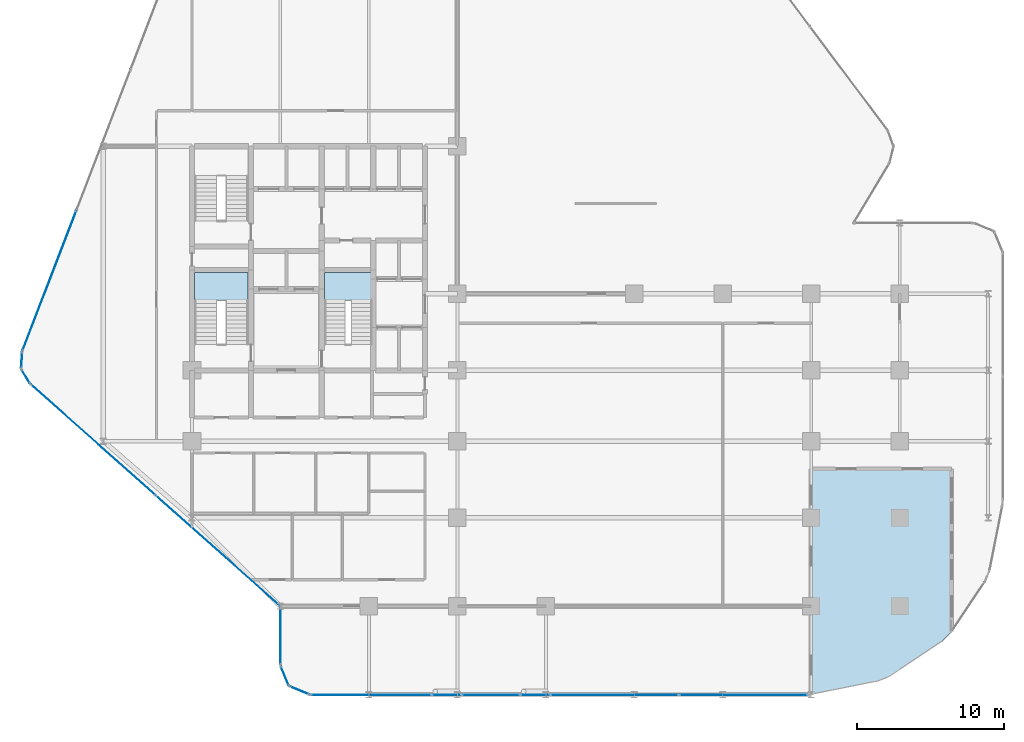
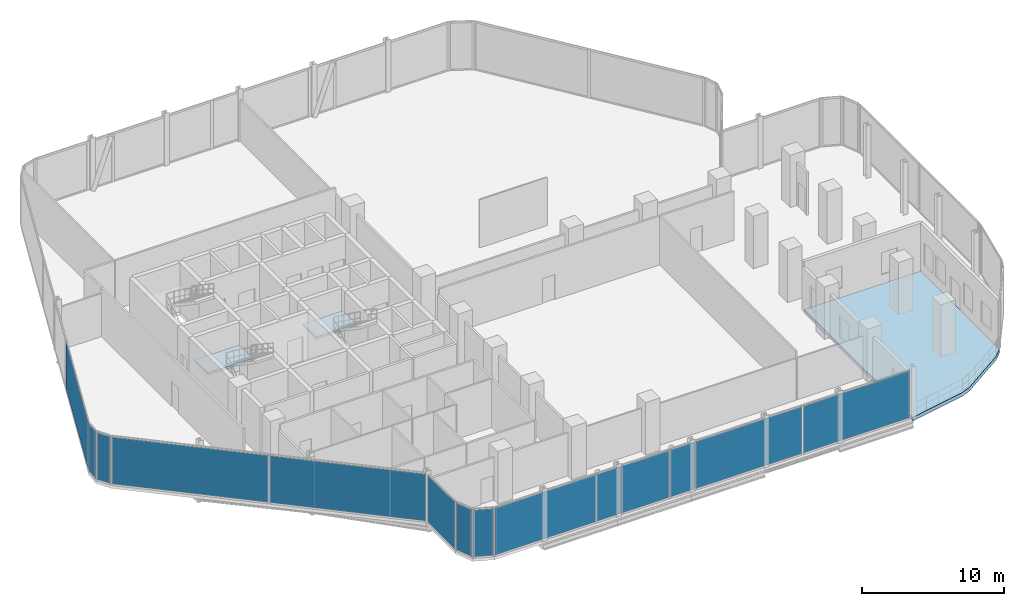
# One storey, part 22 of 30: 14 plates, 3 slabs, 14 elements without a shape of their own.
"""IFC4 building model written with IfcOpenShell, lengths in metres."""

from ifc_helpers import new_model, si_unit, direction, frame, origin, origin_2d, place, context, subcontext, project, spatial, polyline, rectangle, outline, extrude, material, layer, layer_set, type_object, element, aggregate, save


model = new_model("IFC4")

# Units and contexts
model_context = context("Model", 3, precision=1e-05, world=origin(), true_north=direction((0.0, 1.0)))
body_context = subcontext(model_context, "Body", "Model", "MODEL_VIEW")
ifc_project = project(units=[si_unit("LENGTHUNIT", "METRE"), si_unit("AREAUNIT", "SQUARE_METRE"), si_unit("VOLUMEUNIT", "CUBIC_METRE"), si_unit("PLANEANGLEUNIT", "RADIAN"), si_unit("MASSUNIT", "GRAM", prefix="KILO")], contexts=[model_context])

# Site, building, storey
site_placement = place(None, origin())
site = spatial("IfcSite", under=ifc_project, at=site_placement, CompositionType="ELEMENT")
building_placement = place(site_placement, origin())
building = spatial("IfcBuilding", under=site, at=building_placement, Name="Keshet Zoharim Tower", CompositionType="ELEMENT")
storey_placement = place(building_placement, frame((0.0, 0.0, 65.60009765625)))
storey = spatial("IfcBuildingStorey", under=building, at=storey_placement, Name="L15", CompositionType="ELEMENT", Elevation=65.60009765625)

# Curtain wall, plate
ifc_material_1 = material(Name="Aluminium 6063-T6", Category="aluminium")
ifc_layer_1 = layer(ifc_material_1, 0.179931640625)
ifc_layer_set_1 = layer_set([ifc_layer_1], Name="Aluminium 6063-T6")
curtain_wall_type = type_object("IfcCurtainWallType", Name="CW-SYS-01", PredefinedType="NOTDEFINED", material=ifc_layer_set_1)
curtain_wall_1_placement = place(storey_placement, origin())
curtain_wall_1 = element("IfcCurtainWall", 1, at=curtain_wall_1_placement, inside=storey, type_object=curtain_wall_type, Name="L15 Unitised Curtain Wall 01", PredefinedType="NOTDEFINED")
ifc_material_2 = material(Name="Insulated Low-E Clear Glass", Category="glass")
ifc_layer_2 = layer(ifc_material_2, 0.035888671875)
ifc_layer_set_2 = layer_set([ifc_layer_2], Name="Insulated Low-E Clear Glass")
plate_type_1 = type_object("IfcPlateType", Name="CWP-01", PredefinedType="CURTAIN_PANEL", material=ifc_layer_set_2)
plate_1_placement = place(storey_placement, frame((5.33837890625, 28.7802734375, 0.06982421875), z_axis=(0.0, 0.0, 1.0), x_axis=(0.358990003907, 0.933341404361, 0.0)))
plate_1 = element("IfcPlate", 2, at=plate_1_placement, type_object=plate_type_1, Name="CW-01 panel 1.1", PredefinedType="CURTAIN_PANEL", context=body_context, shape_type="SweptSolid", body=[
    extrude(rectangle(XDim=10.1181640625, YDim=0.035888671875, at=origin_2d()), origin(), (0.0, 0.0, 1.0), 4.044921875),
])
aggregate(curtain_wall_1, [plate_1])

# Curtain wall, plates
curtain_wall_2_placement = place(storey_placement, origin())
curtain_wall_2 = element("IfcCurtainWall", 3, at=curtain_wall_2_placement, inside=storey, type_object=curtain_wall_type, Name="L15 Unitised Curtain Wall 19", PredefinedType="NOTDEFINED")
plate_2_placement = place(storey_placement, frame((52.401611328125, 0.699951171875, 0.06982421875), z_axis=(0.0, 0.0, 1.0), x_axis=(-1.0, 0.0, 0.0)))
plate_2 = element("IfcPlate", 4, at=plate_2_placement, type_object=plate_type_1, Name="CW-01 panel 1.1", PredefinedType="CURTAIN_PANEL", context=body_context, shape_type="SweptSolid", body=[
    extrude(rectangle(XDim=8.662841796875, YDim=0.035888671875, at=origin_2d()), origin(), (0.0, 0.0, 1.0), 4.044921875),
])
plate_3_placement = place(storey_placement, frame((43.668701171875, 0.699951171875, 0.06982421875), z_axis=(0.0, 0.0, 1.0), x_axis=(-1.0, 0.0, 0.0)))
plate_3 = element("IfcPlate", 5, at=plate_3_placement, type_object=plate_type_1, Name="CW-01 panel 2.1", PredefinedType="CURTAIN_PANEL", context=body_context, shape_type="SweptSolid", body=[
    extrude(rectangle(XDim=8.662841796875, YDim=0.035888671875, at=origin_2d()), origin(), (0.0, 0.0, 1.0), 4.044921875),
])
aggregate(curtain_wall_2, [plate_2, plate_3])

# Curtain wall, plate
curtain_wall_3_placement = place(storey_placement, origin())
curtain_wall_3 = element("IfcCurtainWall", 6, at=curtain_wall_3_placement, inside=storey, type_object=curtain_wall_type, Name="L15 Unitised Curtain Wall 19 Part 3", PredefinedType="NOTDEFINED")
plate_4_placement = place(storey_placement, frame((35.284912109375, 0.699951171875, 0.06982421875), z_axis=(0.0, 0.0, 1.0), x_axis=(-1.0, 0.0, 0.0)))
plate_4 = element("IfcPlate", 7, at=plate_4_placement, type_object=plate_type_1, Name="CW-01 panel 1.1", PredefinedType="CURTAIN_PANEL", context=body_context, shape_type="SweptSolid", body=[
    extrude(rectangle(XDim=3.895263671875, YDim=0.035888671875, at=origin_2d()), origin(), (0.0, 0.0, 1.0), 4.044921875),
])
aggregate(curtain_wall_3, [plate_4])

curtain_wall_4_placement = place(storey_placement, origin())
curtain_wall_4 = element("IfcCurtainWall", 8, at=curtain_wall_4_placement, inside=storey, type_object=curtain_wall_type, Name="L15 Unitised Curtain Wall 19 Part 5", PredefinedType="NOTDEFINED")
plate_5_placement = place(storey_placement, frame((27.1513671875, 0.699951171875, 0.06982421875), z_axis=(0.0, 0.0, 1.0), x_axis=(-1.0, 0.0, 0.0)))
plate_5 = element("IfcPlate", 9, at=plate_5_placement, type_object=plate_type_1, Name="CW-01 panel 1.1", PredefinedType="CURTAIN_PANEL", context=body_context, shape_type="SweptSolid", body=[
    extrude(rectangle(XDim=8.16259765625, YDim=0.035888671875, at=origin_2d()), origin(), (0.0, 0.0, 1.0), 4.044921875),
])
aggregate(curtain_wall_4, [plate_5])

curtain_wall_5_placement = place(storey_placement, origin())
curtain_wall_5 = element("IfcCurtainWall", 10, at=curtain_wall_5_placement, inside=storey, type_object=curtain_wall_type, Name="L15 Unitised Curtain Wall 20", PredefinedType="NOTDEFINED")
plate_6_placement = place(storey_placement, frame((22.29296875, 0.992919921875, 0.06982421875), z_axis=(0.0, 0.0, 1.0), x_axis=(-0.92380975372, 0.382851849847, 0.0)))
plate_6 = element("IfcPlate", 11, at=plate_6_placement, type_object=plate_type_1, Name="CW-01 panel 1.1", PredefinedType="CURTAIN_PANEL", context=body_context, shape_type="SweptSolid", body=[
    extrude(rectangle(XDim=1.390625, YDim=0.035888671875, at=origin_2d()), origin(), (0.0, 0.0, 1.0), 4.044921875),
])
aggregate(curtain_wall_5, [plate_6])

curtain_wall_6_placement = place(storey_placement, origin())
curtain_wall_6 = element("IfcCurtainWall", 12, at=curtain_wall_6_placement, inside=storey, type_object=curtain_wall_type, Name="L15 Unitised Curtain Wall 21", PredefinedType="NOTDEFINED")
plate_7_placement = place(storey_placement, frame((21.29296875, 1.992919921875, 0.06982421875), z_axis=(0.0, 0.0, 1.0), x_axis=(-0.382851849847, 0.92380975372, 0.0)))
plate_7 = element("IfcPlate", 13, at=plate_7_placement, type_object=plate_type_1, Name="CW-01 panel 1.1", PredefinedType="CURTAIN_PANEL", context=body_context, shape_type="SweptSolid", body=[
    extrude(rectangle(XDim=1.390625, YDim=0.035888671875, at=origin_2d()), origin(), (0.0, 0.0, 1.0), 4.044921875),
])
aggregate(curtain_wall_6, [plate_7])

curtain_wall_7_placement = place(storey_placement, origin())
curtain_wall_7 = element("IfcCurtainWall", 14, at=curtain_wall_7_placement, inside=storey, type_object=curtain_wall_type, Name="L15 Unitised Curtain Wall 22", PredefinedType="NOTDEFINED")
plate_8_placement = place(storey_placement, frame((21.0, 4.699951171875, 0.06982421875), z_axis=(0.0, 0.0, 1.0), x_axis=(0.0, 1.0, 0.0)))
plate_8 = element("IfcPlate", 15, at=plate_8_placement, type_object=plate_type_1, Name="CW-01 panel 1.1", PredefinedType="CURTAIN_PANEL", context=body_context, shape_type="SweptSolid", body=[
    extrude(rectangle(XDim=3.860107421875, YDim=0.035888671875, at=origin_2d()), origin(), (0.0, 0.0, 1.0), 4.044921875),
])
aggregate(curtain_wall_7, [plate_8])

# Curtain wall, plates
curtain_wall_8_placement = place(storey_placement, origin())
curtain_wall_8 = element("IfcCurtainWall", 16, at=curtain_wall_8_placement, inside=storey, type_object=curtain_wall_type, Name="L15 Unitised Curtain Wall 23", PredefinedType="NOTDEFINED")
plate_9_placement = place(storey_placement, frame((16.74560546875, 10.481689453125, 0.06982421875), z_axis=(0.0, 0.0, 1.0), x_axis=(-0.747409318679, 0.664363838836, 0.0)))
plate_9 = element("IfcPlate", 17, at=plate_9_placement, type_object=plate_type_1, Name="CW-01 panel 1.1", PredefinedType="CURTAIN_PANEL", context=body_context, shape_type="SweptSolid", body=[
    extrude(rectangle(XDim=11.244140625, YDim=0.035888671875, at=origin_2d()), origin(), (0.0, 0.0, 1.0), 4.044921875),
])
plate_10_placement = place(storey_placement, frame((8.289306640625, 17.998291015625, 0.06982421875), z_axis=(0.0, 0.0, 1.0), x_axis=(-0.747409318679, 0.664363838836, 0.0)))
plate_10 = element("IfcPlate", 18, at=plate_10_placement, type_object=plate_type_1, Name="CW-01 panel 2.1", PredefinedType="CURTAIN_PANEL", context=body_context, shape_type="SweptSolid", body=[
    extrude(rectangle(XDim=11.244140625, YDim=0.035888671875, at=origin_2d()), origin(), (0.0, 0.0, 1.0), 4.044921875),
])
aggregate(curtain_wall_8, [plate_9, plate_10])

# Curtain wall, plate
curtain_wall_9_placement = place(storey_placement, origin())
curtain_wall_9 = element("IfcCurtainWall", 19, at=curtain_wall_9_placement, inside=storey, type_object=curtain_wall_type, Name="L15 Unitised Curtain Wall 24", PredefinedType="NOTDEFINED")
plate_11_placement = place(storey_placement, frame((3.7275390625, 22.291015625, 0.06982421875), z_axis=(0.0, 0.0, 1.0), x_axis=(-0.515604947933, 0.856826433805, 0.0)))
plate_11 = element("IfcPlate", 20, at=plate_11_placement, type_object=plate_type_1, Name="CW-01 panel 1.1", PredefinedType="CURTAIN_PANEL", context=body_context, shape_type="SweptSolid", body=[
    extrude(rectangle(XDim=1.052734375, YDim=0.035888671875, at=origin_2d()), origin(), (0.0, 0.0, 1.0), 4.044921875),
])
aggregate(curtain_wall_9, [plate_11])

curtain_wall_10_placement = place(storey_placement, origin())
curtain_wall_10 = element("IfcCurtainWall", 21, at=curtain_wall_10_placement, inside=storey, type_object=curtain_wall_type, Name="L15 Unitised Curtain Wall 25", PredefinedType="NOTDEFINED")
plate_12_placement = place(storey_placement, frame((3.45849609375, 23.3974609375, 0.06982421875), z_axis=(0.0, 0.0, 1.0), x_axis=(0.064516859374, 0.997916617186, 0.0)))
plate_12 = element("IfcPlate", 22, at=plate_12_placement, type_object=plate_type_1, Name="CW-01 panel 1.1", PredefinedType="CURTAIN_PANEL", context=body_context, shape_type="SweptSolid", body=[
    extrude(rectangle(XDim=1.053466796875, YDim=0.035888671875, at=origin_2d()), origin(), (0.0, 0.0, 1.0), 4.044921875),
])
aggregate(curtain_wall_10, [plate_12])

curtain_wall_11_placement = place(storey_placement, origin())
curtain_wall_11 = element("IfcCurtainWall", 23, at=curtain_wall_11_placement, inside=storey, type_object=curtain_wall_type, Name="L15 Unitised Curtain Wall 19 Part 2", PredefinedType="NOTDEFINED")
ifc_material_3 = material(Name="Insulated Aluminium Spandrel Panel", Category="aluminium")
ifc_layer_3 = layer(ifc_material_3, 0.035888671875)
ifc_layer_set_3 = layer_set([ifc_layer_3], Name="Insulated Aluminium Spandrel Panel")
plate_type_2 = type_object("IfcPlateType", Name="CWP-04", PredefinedType="CURTAIN_PANEL", material=ifc_layer_set_3)
plate_13_placement = place(storey_placement, frame((38.284912109375, 0.699951171875, 0.06982421875), z_axis=(0.0, 0.0, 1.0), x_axis=(-1.0, 0.0, 0.0)))
plate_13 = element("IfcPlate", 24, at=plate_13_placement, type_object=plate_type_2, Name="CW-01 spandrel panel 1.1", PredefinedType="CURTAIN_PANEL", context=body_context, shape_type="SweptSolid", body=[
    extrude(rectangle(XDim=1.96484375, YDim=0.035888671875, at=origin_2d()), origin(), (0.0, 0.0, 1.0), 4.044921875),
])
aggregate(curtain_wall_11, [plate_13])

curtain_wall_12_placement = place(storey_placement, origin())
curtain_wall_12 = element("IfcCurtainWall", 25, at=curtain_wall_12_placement, inside=storey, type_object=curtain_wall_type, Name="L15 Unitised Curtain Wall 19 Part 4", PredefinedType="NOTDEFINED")
plate_14_placement = place(storey_placement, frame((32.284912109375, 0.699951171875, 0.06982421875), z_axis=(0.0, 0.0, 1.0), x_axis=(-1.0, 0.0, 0.0)))
plate_14 = element("IfcPlate", 26, at=plate_14_placement, type_object=plate_type_2, Name="CW-01 spandrel panel 1.1", PredefinedType="CURTAIN_PANEL", context=body_context, shape_type="SweptSolid", body=[
    extrude(rectangle(XDim=1.96484375, YDim=0.035888671875, at=origin_2d()), origin(), (0.0, 0.0, 1.0), 4.044921875),
])
aggregate(curtain_wall_12, [plate_14])

# Slab
ifc_material_4 = material(Name="Concrete C50/60", Category="concrete")
ifc_layer_4 = layer(ifc_material_4, 0.320068359375)
ifc_layer_set_4 = layer_set([ifc_layer_4], Name="Concrete C50/60")
slab_type_1 = type_object("IfcSlabType", Name="SLB-COM-320", PredefinedType="FLOOR", material=ifc_layer_set_4)
slab_1_placement = place(storey_placement, frame((0.0, 0.0, -0.320068359375)))
element("IfcSlab", 27, at=slab_1_placement, inside=storey, type_object=slab_type_1, Name="L15 South-East Sky Community Terrace Slab", PredefinedType="FLOOR", context=body_context, shape_type="SweptSolid", body=[
    extrude(outline(polyline([(57.0, 16.0), (66.5, 16.0), (66.5, 4.968017578125), (66.4130859375, 4.837890625), (65.862060546875, 4.287109375), (62.305908203125, 1.910888671875), (61.5849609375, 1.612060546875), (57.193115234375, 0.738037109375), (57.0, 0.718994140625), (57.0, 16.0)])), origin(), (0.0, 0.0, 1.0), 0.320068359375),
])

# Stair, slab
stair_type = type_object("IfcStairType", Name="STR-EXIT-135", PredefinedType="HALF_TURN_STAIR", material=ifc_material_4)
stair_1_placement = place(storey_placement, origin())
stair_1 = element("IfcStair", 28, at=stair_1_placement, inside=storey, type_object=stair_type, Name="L15 Enclosed Exit Stair ST-01", PredefinedType="HALF_TURN_STAIR")
ifc_layer_5 = layer(ifc_material_4, 0.199951171875)
ifc_layer_set_5 = layer_set([ifc_layer_5], Name="Concrete C50/60")
slab_type_2 = type_object("IfcSlabType", Name="SLB-LND-200", PredefinedType="LANDING", material=ifc_layer_set_5)
slab_2_placement = place(storey_placement, frame((0.0, 0.0, 2.0498046875)))
slab_2 = element("IfcSlab", 29, at=slab_2_placement, type_object=slab_type_2, Name="ST-01 landing 1", PredefinedType="LANDING", context=body_context, shape_type="SweptSolid", body=[
    extrude(outline(polyline([(15.179931640625, 27.43994140625), (18.820068359375, 27.43994140625), (18.820068359375, 29.320068359375), (15.179931640625, 29.320068359375), (15.179931640625, 27.43994140625)])), origin(), (0.0, 0.0, 1.0), 0.2001953125),
])
aggregate(stair_1, [slab_2])

stair_2_placement = place(storey_placement, origin())
stair_2 = element("IfcStair", 30, at=stair_2_placement, inside=storey, type_object=stair_type, Name="L15 Enclosed Exit Stair ST-03", PredefinedType="HALF_TURN_STAIR")
slab_3_placement = place(storey_placement, frame((0.0, 0.0, 2.0498046875)))
slab_3 = element("IfcSlab", 31, at=slab_3_placement, type_object=slab_type_2, Name="ST-03 landing 1", PredefinedType="LANDING", context=body_context, shape_type="SweptSolid", body=[
    extrude(outline(polyline([(23.97998046875, 27.43994140625), (27.219970703125, 27.43994140625), (27.219970703125, 29.320068359375), (23.97998046875, 29.320068359375), (23.97998046875, 27.43994140625)])), origin(), (0.0, 0.0, 1.0), 0.2001953125),
])
aggregate(stair_2, [slab_3])

save(model, "model.ifc")
